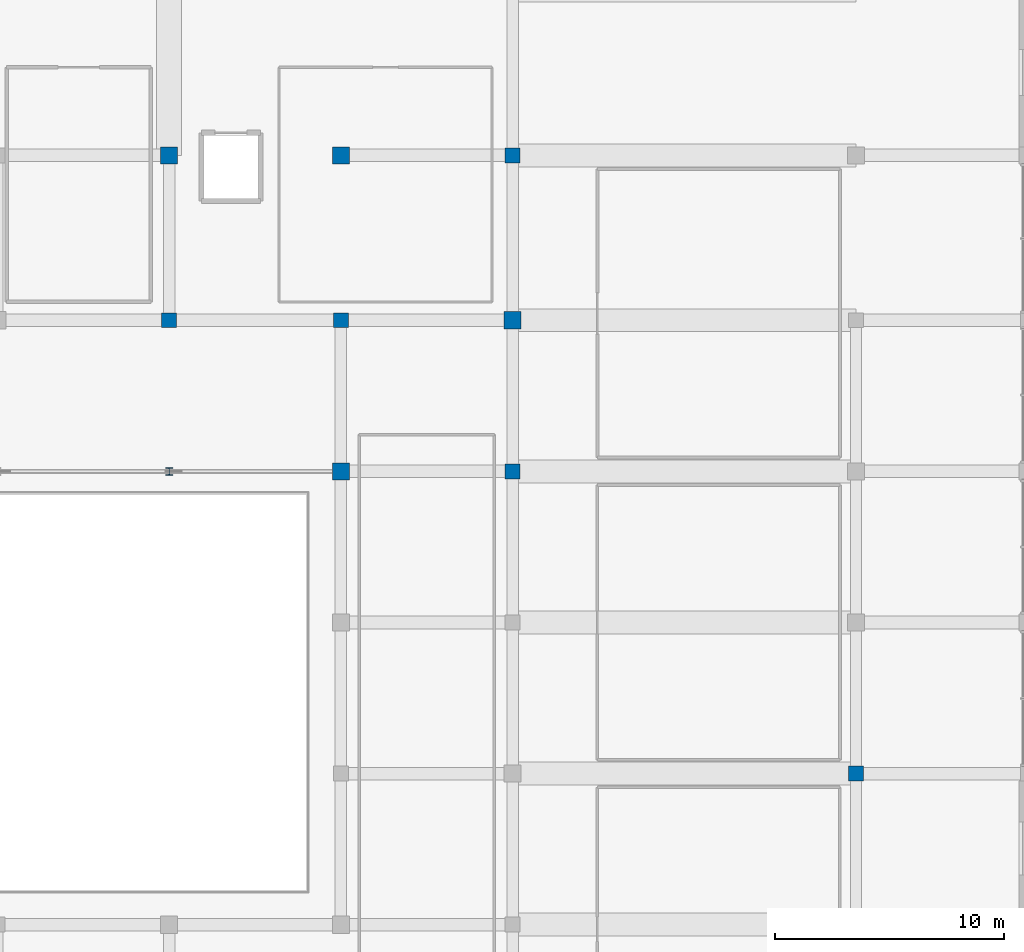
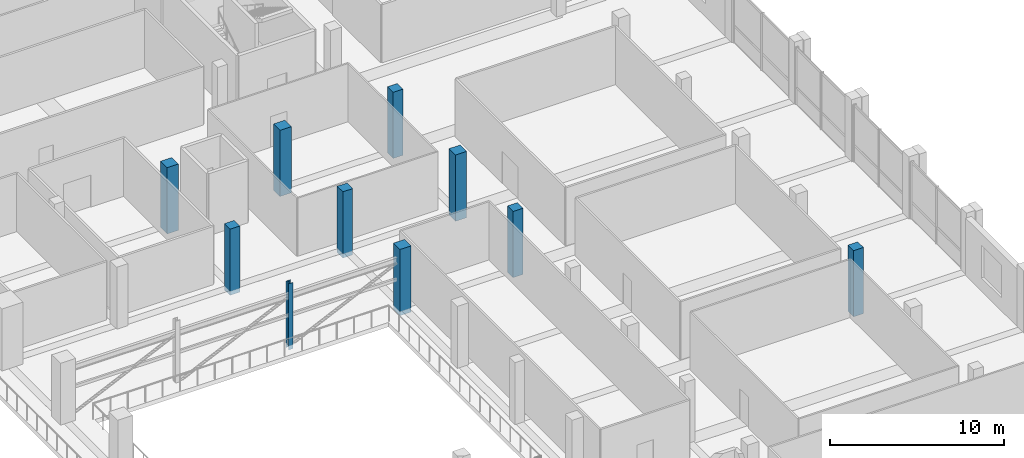
# One storey, part 4 of 64: 10 columns.
"""IFC4 building model written with IfcOpenShell, lengths in metres."""

import ifcopenshell
import ifcopenshell.guid

model = None  # the IFC model being written
_history = None  # IfcOwnerHistory: only IFC2X3 demands one
_inside = {}  # id of a spatial element -> (the spatial element, [elements in it])
_under = {}  # id of a project, library or spatial element -> (it, [spatial elements below it])
_declared = {}  # id of a project -> (the project, [libraries it declares])
_typed = {}  # id of a type object -> (the type object, [elements of that type])
_made_of = {}  # id of a material, layer set ... -> (it, [elements and type objects made of it])


def new_model(schema):
    """Start an empty IFC model of exactly this schema.

    Asked for "IFC4X3", IfcOpenShell would pick the latest addendum, in which some entities
    have other attributes; the version numbers below select the first issue.
    IFC2X3 requires an IfcOwnerHistory on every rooted entity: one is made here for all.
    """
    global model, _history
    if schema == "IFC4X3":
        model = ifcopenshell.file(schema_version=(4, 3, 0, 0))
    else:
        model = ifcopenshell.file(schema=schema)
    _inside.clear()
    _under.clear()
    _declared.clear()
    _typed.clear()
    _made_of.clear()
    _history = None
    if model.schema == "IFC2X3":
        org = make("IfcOrganization", Name="unknown")
        user = make(
            "IfcPersonAndOrganization",
            ThePerson=make("IfcPerson", FamilyName="unknown"),
            TheOrganization=org,
        )
        app = make(
            "IfcApplication",
            ApplicationDeveloper=org,
            Version="unknown",
            ApplicationFullName="unknown",
            ApplicationIdentifier="unknown",
        )
        _history = make(
            "IfcOwnerHistory",
            OwningUser=user,
            OwningApplication=app,
            ChangeAction="ADDED",
            CreationDate=0,
        )
    return model


def make(cls, **values):
    """One entity of the class cls with the attributes given. An attribute that is None is left unset."""
    return model.create_entity(
        cls, **{name: value for name, value in values.items() if value is not None}
    )


def rooted(cls, **values):
    """An entity with a GlobalId (a new one), such as an element, a storey or a relation."""
    return make(cls, GlobalId=ifcopenshell.guid.new(), OwnerHistory=_history, **values)


def si_unit(unit_type, name, prefix=None):
    """IfcSIUnit, for example si_unit("LENGTHUNIT", "METRE", prefix="MILLI")."""
    return make("IfcSIUnit", UnitType=unit_type, Prefix=prefix, Name=name)


def assignment(units):
    """IfcUnitAssignment: the units of a project."""
    return None if units is None else make("IfcUnitAssignment", Units=units)


def point(xyz):
    """IfcCartesianPoint."""
    return None if xyz is None else make("IfcCartesianPoint", Coordinates=xyz)


def direction(xyz):
    """IfcDirection."""
    return None if xyz is None else make("IfcDirection", DirectionRatios=xyz)


def frame(location, z_axis=None, x_axis=None):
    """IfcAxis2Placement3D, a coordinate frame: its origin and axes. An axis left out is left unset."""
    return make(
        "IfcAxis2Placement3D",
        Location=point(location),
        Axis=direction(z_axis),
        RefDirection=direction(x_axis),
    )


def frame_2d(location, x_axis=None):
    """IfcAxis2Placement2D, a coordinate frame in the plane: its origin and x axis."""
    return make(
        "IfcAxis2Placement2D", Location=point(location), RefDirection=direction(x_axis)
    )


def origin():
    """The frame at (0, 0, 0) with its axes left unset."""
    return frame((0.0, 0.0, 0.0))


def origin_2d():
    """The frame at (0, 0) in the plane with its x axis left unset."""
    return frame_2d((0.0, 0.0))


def place(relative_to, where):
    """IfcLocalPlacement: puts the frame where relative to a parent placement (None: the world)."""
    return make(
        "IfcLocalPlacement", PlacementRelTo=relative_to, RelativePlacement=where
    )


def context(
    kind, dimensions, precision=None, world=None, true_north=None, identifier=None
):
    """IfcGeometricRepresentationContext, for example the 3D "Model" context."""
    return make(
        "IfcGeometricRepresentationContext",
        ContextIdentifier=identifier,
        ContextType=kind,
        CoordinateSpaceDimension=dimensions,
        Precision=precision,
        WorldCoordinateSystem=world,
        TrueNorth=true_north,
    )


def subcontext(parent, identifier, kind, view, scale=None):
    """IfcGeometricRepresentationSubContext, for example "Body" below "Model"."""
    return make(
        "IfcGeometricRepresentationSubContext",
        ContextIdentifier=identifier,
        ContextType=kind,
        ParentContext=parent,
        TargetScale=scale,
        TargetView=view,
    )


def project(units=None, contexts=None):
    """IfcProject with its units and contexts."""
    return rooted(
        "IfcProject",
        Name="project",
        RepresentationContexts=contexts,
        UnitsInContext=assignment(units),
    )


def spatial(cls, under=None, at=None, **own):
    """A site, building, storey or space (cls), placed at a placement, below another one or the project."""
    s = rooted(cls, ObjectPlacement=at, **own)
    if under is not None:
        _under.setdefault(under.id(), (under, []))[1].append(s)
    return s


def profile(cls, at=None, kind="AREA", **sizes):
    """A parametric profile (cls). Its sizes go by their IFC names, for example OverallWidth=200.0."""
    return make(cls, ProfileType=kind, Position=at, **sizes)


def rectangle(**sizes):
    """IfcRectangleProfileDef."""
    return profile("IfcRectangleProfileDef", **sizes)


def i_section(**sizes):
    """IfcIShapeProfileDef."""
    return profile("IfcIShapeProfileDef", **sizes)


def extrude(swept, where, along, depth):
    """IfcExtrudedAreaSolid: the profile swept, set in the frame where, extruded along a direction by depth."""
    return make(
        "IfcExtrudedAreaSolid",
        SweptArea=swept,
        Position=where,
        ExtrudedDirection=direction(along),
        Depth=depth,
    )


def shape(context_of_items, identifier, shape_type, items):
    """IfcShapeRepresentation: the items that make up one representation, for example the "Body"."""
    return make(
        "IfcShapeRepresentation",
        ContextOfItems=context_of_items,
        RepresentationIdentifier=identifier,
        RepresentationType=shape_type,
        Items=items,
    )


def material(Name=None, Category=None):
    """IfcMaterial."""
    return make("IfcMaterial", Name=Name, Category=Category)


def material_profile(
    of_material, cross_section, Name=None, Category=None, Priority=None
):
    """IfcMaterialProfile: a cross section and its material."""
    return make(
        "IfcMaterialProfile",
        Name=Name,
        Material=of_material,
        Profile=cross_section,
        Priority=Priority,
        Category=Category,
    )


def profile_set(profiles, Name=None, composite=None):
    """IfcMaterialProfileSet."""
    return make(
        "IfcMaterialProfileSet",
        Name=Name,
        MaterialProfiles=profiles,
        CompositeProfile=composite,
    )


def made_of(thing, what):
    """Note that an element or type object is made of a material, layer set ...; save() writes the relation."""
    if what is not None:
        _made_of.setdefault(what.id(), (what, []))[1].append(thing)
    return thing


def type_object(cls, material=None, **own):
    """A type object (cls), such as IfcWallType, which elements share."""
    return made_of(rooted(cls, **own), material)


def element(
    cls,
    number,
    at=None,
    inside=None,
    cuts=None,
    type_object=None,
    material=None,
    context=None,
    identifier="Body",
    shape_type=None,
    held_by="IfcProductDefinitionShape",
    body=None,
    shapes=None,
    **own,
):
    """One element of the class cls, such as IfcWall. Its Tag is "e" and its number.

    at: its placement. inside: the storey or other place that contains it. cuts: it is an
    opening in that element (IfcRelVoidsElement). A single representation is given by context,
    identifier, shape_type and body (its items); several are given by shapes. held_by: the class
    of the entity that holds the representations. save() writes the other relations.
    """
    e = rooted(cls, Tag="e%d" % number, ObjectPlacement=at, **own)
    if body is not None:
        shapes = [shape(context, identifier, shape_type, body)]
    if shapes is not None:
        e.Representation = make(held_by, Representations=shapes)
    if inside is not None:
        _inside.setdefault(inside.id(), (inside, []))[1].append(e)
    if cuts is not None:
        rooted(
            "IfcRelVoidsElement", RelatingBuildingElement=cuts, RelatedOpeningElement=e
        )
    if type_object is not None:
        _typed.setdefault(type_object.id(), (type_object, []))[1].append(e)
    return made_of(e, material)


def aggregate(whole, parts):
    """IfcRelAggregates: a whole, such as a stair, and the parts it consists of."""
    return rooted("IfcRelAggregates", RelatingObject=whole, RelatedObjects=parts)


def save(model, path):
    """Write the relations noted so far, then the file.

    IfcRelAggregates (storeys below a building ...), IfcRelContainedInSpatialStructure (elements
    in a storey), IfcRelDefinesByType, IfcRelAssociatesMaterial and IfcRelDeclares: one each for
    every whole, place, type object, material and project.
    """
    for whole, parts in _under.values():
        aggregate(whole, parts)
    for where, things in _inside.values():
        rooted(
            "IfcRelContainedInSpatialStructure",
            RelatedElements=things,
            RelatingStructure=where,
        )
    for kind, things in _typed.values():
        rooted("IfcRelDefinesByType", RelatedObjects=things, RelatingType=kind)
    for what, things in _made_of.values():
        rooted("IfcRelAssociatesMaterial", RelatedObjects=things, RelatingMaterial=what)
    for by, libraries in _declared.values():
        rooted("IfcRelDeclares", RelatingContext=by, RelatedDefinitions=libraries)
    model.write(path)


model = new_model("IFC4")

# Units and contexts
model_context = context("Model", 3, precision=1e-05, world=origin(), true_north=direction((0.0, 1.0)))
body_context = subcontext(model_context, "Body", "Model", "MODEL_VIEW")
ifc_project = project(units=[si_unit("LENGTHUNIT", "METRE"), si_unit("AREAUNIT", "SQUARE_METRE"), si_unit("VOLUMEUNIT", "CUBIC_METRE"), si_unit("PLANEANGLEUNIT", "RADIAN"), si_unit("MASSUNIT", "GRAM", prefix="KILO")], contexts=[model_context])

# Site, building, storey
site_placement = place(None, origin())
site = spatial("IfcSite", under=ifc_project, at=site_placement, CompositionType="ELEMENT")
building_placement = place(site_placement, origin())
building = spatial("IfcBuilding", under=site, at=building_placement, Name="Akrevak Sports Hall", CompositionType="ELEMENT")
storey_placement = place(building_placement, frame((0.0, 0.0, 4.60009765625)))
storey = spatial("IfcBuildingStorey", under=building, at=storey_placement, Name="L01", CompositionType="ELEMENT", Elevation=4.60009765625)

# Columns
ifc_material_1 = material(Name="Concrete C40/50", Category="concrete")
ifc_material_profile_1 = material_profile(ifc_material_1, rectangle(XDim=0.64990234375, YDim=0.64990234375, at=origin_2d()), Name="RC 650x650", Category="concrete")
ifc_profile_set_1 = profile_set([ifc_material_profile_1], Name="Concrete C40/50")
column_type_1 = type_object("IfcColumnType", Name="STR-COL-RC650", PredefinedType="COLUMN", material=ifc_profile_set_1)
for number, where, z_axis, x_axis, name in (
    (1, (130.5, 55.199951171875, -0.300048828125), (0.0, 0.0, 1.0), (1.0, 0.0, 0.0), "Column 18/I (L01)"),
    (2, (138.0, 55.199951171875, -0.300048828125), (0.0, 0.0, 1.0), (1.0, 0.0, 0.0), "Column 19/I (L01)"),
    (3, (145.5, 48.60009765625, -0.300048828125), (0.0, 0.0, 1.0), (1.0, 0.0, 0.0), "Column 20/H (L01)"),
    (4, (145.5, 62.39990234375, -0.300048828125), (0.0, 0.0, 1.0), (1.0, 0.0, 0.0), "Column 20/J (L01)"),
    (5, (160.5, 35.39990234375, -0.300048828125), (0.0, 0.0, 1.0), (1.0, 0.0, 0.0), "Column 22/F (L01)"),
):
    element("IfcColumn", number, at=place(storey_placement, frame(where, z_axis=z_axis, x_axis=x_axis)), inside=storey, type_object=column_type_1, Name=name, PredefinedType="COLUMN", context=body_context, shape_type="SweptSolid", body=[
        extrude(rectangle(XDim=0.64990234375, YDim=0.64990234375, at=origin_2d()), origin(), (0.0, 0.0, 1.0), 4.64990234375),
    ])
ifc_material_profile_2 = material_profile(ifc_material_1, rectangle(XDim=0.75, YDim=0.75, at=origin_2d()), Name="RC 750x750", Category="concrete")
ifc_profile_set_2 = profile_set([ifc_material_profile_2], Name="Concrete C40/50")
column_type_2 = type_object("IfcColumnType", Name="STR-COL-RC750", PredefinedType="COLUMN", material=ifc_profile_set_2)
for number, where, z_axis, x_axis, name in (
    (6, (130.5, 62.39990234375, -0.300048828125), (0.0, 0.0, 1.0), (1.0, 0.0, 0.0), "Column 18/J (L01)"),
    (7, (138.0, 48.60009765625, -0.300048828125), (0.0, 0.0, 1.0), (1.0, 0.0, 0.0), "Column 19/H (L01)"),
    (8, (138.0, 62.39990234375, -0.300048828125), (0.0, 0.0, 1.0), (1.0, 0.0, 0.0), "Column 19/J (L01)"),
    (9, (145.5, 55.199951171875, -0.300048828125), (0.0, 0.0, 1.0), (1.0, 0.0, 0.0), "Column 20/I (L01)"),
):
    element("IfcColumn", number, at=place(storey_placement, frame(where, z_axis=z_axis, x_axis=x_axis)), inside=storey, type_object=column_type_2, Name=name, PredefinedType="COLUMN", context=body_context, shape_type="SweptSolid", body=[
        extrude(rectangle(XDim=0.75, YDim=0.75, at=origin_2d()), origin(), (0.0, 0.0, 1.0), 4.64990234375),
    ])
ifc_material_2 = material(Name="Steel S355", Category="steel")
ifc_material_profile_3 = material_profile(ifc_material_2, i_section(OverallWidth=0.300048828125, OverallDepth=0.320068359375, WebThickness=0.011474609375, FlangeThickness=0.0205078125, FilletRadius=0.027099609375, at=origin_2d()), Name="HEB 320", Category="steel")
ifc_profile_set_3 = profile_set([ifc_material_profile_3], Name="Steel S355")
column_type_3 = type_object("IfcColumnType", Name="STR-COL-STL-HEB320", PredefinedType="COLUMN", material=ifc_profile_set_3)
column_placement = place(storey_placement, frame((130.5, 48.60009765625, -0.300048828125), z_axis=(0.0, 0.0, 1.0), x_axis=(1.0, 0.0, 0.0)))
element("IfcColumn", 10, at=column_placement, inside=storey, type_object=column_type_3, Name="Climbing Wall Steel Column SC-2 (L01)", PredefinedType="COLUMN", context=body_context, shape_type="SweptSolid", body=[
    extrude(i_section(OverallWidth=0.300048828125, OverallDepth=0.320068359375, WebThickness=0.011474609375, FlangeThickness=0.0205078125, FilletRadius=0.027099609375, at=origin_2d()), origin(), (0.0, 0.0, 1.0), 4.64990234375),
])

save(model, "model.ifc")
